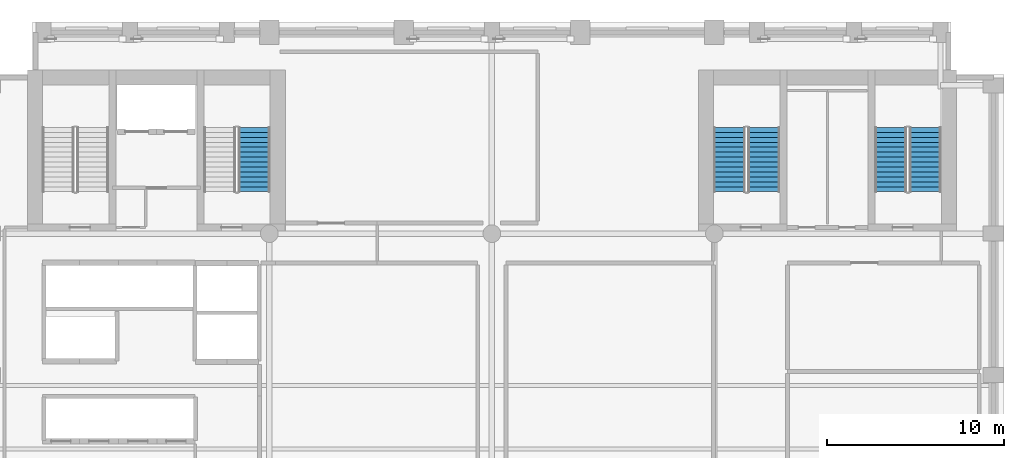
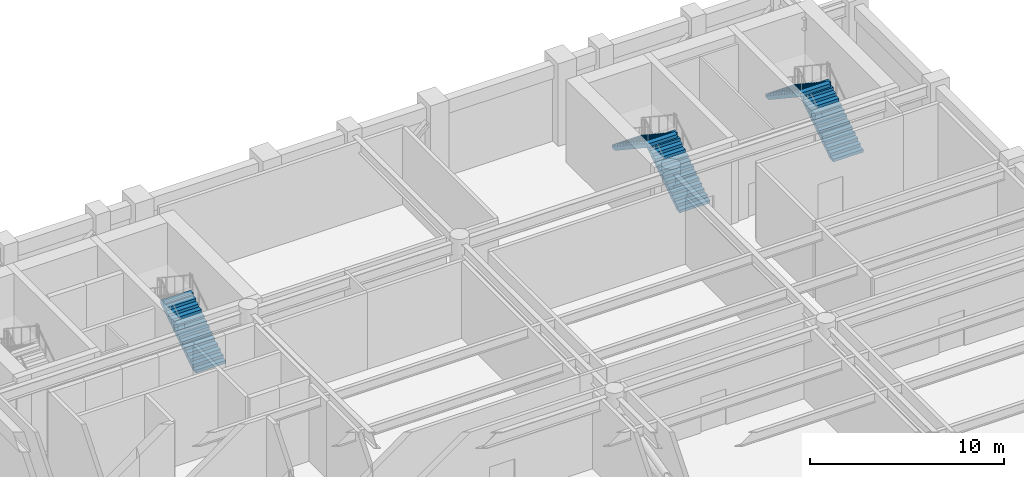
# One storey, part 8 of 11: 5 stair flights, 3 elements without a shape of their own.
"""IFC4 building model written with IfcOpenShell, lengths in metres."""

from ifc_helpers import new_model, si_unit, direction, frame, origin, place, context, subcontext, project, spatial, polyline, outline, extrude, material, type_object, element, aggregate, save


model = new_model("IFC4")

# Units and contexts
model_context = context("Model", 3, precision=1e-05, world=origin(), true_north=direction((0.0, 1.0)))
body_context = subcontext(model_context, "Body", "Model", "MODEL_VIEW")
ifc_project = project(units=[si_unit("LENGTHUNIT", "METRE"), si_unit("AREAUNIT", "SQUARE_METRE"), si_unit("VOLUMEUNIT", "CUBIC_METRE"), si_unit("PLANEANGLEUNIT", "RADIAN"), si_unit("MASSUNIT", "GRAM", prefix="KILO")], contexts=[model_context])

# Site, building, storey
site_placement = place(None, origin())
site = spatial("IfcSite", under=ifc_project, at=site_placement, CompositionType="ELEMENT")
building_placement = place(site_placement, origin())
building = spatial("IfcBuilding", under=site, at=building_placement, Name="Sulina Concourse Tower", CompositionType="ELEMENT")
storey_placement = place(building_placement, frame((0.0, 0.0, 82.60009765625)))
storey = spatial("IfcBuildingStorey", under=building, at=storey_placement, Name="L20", CompositionType="ELEMENT", Elevation=82.60009765625)

# Stair, stair flights
ifc_material_1 = material(Name="Concrete C50/60", Category="concrete")
stair_type_1 = type_object("IfcStairType", Name="Portal & Podium Core Exit Stair 1820mm", PredefinedType="HALF_TURN_STAIR", material=ifc_material_1)
stair_1_placement = place(storey_placement, origin())
stair_1 = element("IfcStair", 1, at=stair_1_placement, inside=storey, type_object=stair_type_1, Name="L20 ST-3", PredefinedType="HALF_TURN_STAIR")
ifc_material_2 = material(Name="Concrete C50/60", Category="concrete")
stair_flight_type_1 = type_object("IfcStairFlightType", Name="Portal & Podium Core Exit Stair 1820mm Flight", PredefinedType="STRAIGHT", material=ifc_material_2)
stair_flight_1_placement = place(storey_placement, frame((44.405029296875, 36.375, 0.0), z_axis=(0.0, 0.0, 1.0), x_axis=(0.0, 1.0, 0.0)))
stair_flight_1 = element("IfcStairFlight", 2, at=stair_flight_1_placement, type_object=stair_flight_type_1, Name="ST-3 flight 1", NumberOfRisers=14, NumberOfTreads=13, PredefinedType="STRAIGHT", RiserHeight=0.185714286, TreadLength=0.28, context=body_context, shape_type="SweptSolid", body=[
    extrude(outline(polyline([(0.0, 0.0), (0.0, 0.185791015625), (0.280029296875, 0.185791015625), (0.280029296875, 0.371337890625), (0.56005859375, 0.371337890625), (0.56005859375, 0.55712890625), (0.840087890625, 0.55712890625), (0.840087890625, 0.742919921875), (1.1201171875, 0.742919921875), (1.1201171875, 0.928466796875), (1.39990234375, 0.928466796875), (1.39990234375, 1.1142578125), (1.679931640625, 1.1142578125), (1.679931640625, 1.300048828125), (1.9599609375, 1.300048828125), (1.9599609375, 1.485595703125), (2.239990234375, 1.485595703125), (2.239990234375, 1.67138671875), (2.52001953125, 1.67138671875), (2.52001953125, 1.857177734375), (2.800048828125, 1.857177734375), (2.800048828125, 2.04296875), (3.080078125, 2.04296875), (3.080078125, 2.228515625), (3.360107421875, 2.228515625), (3.360107421875, 2.414306640625), (3.639892578125, 2.414306640625), (3.639892578125, 2.60009765625), (3.639892578125, 2.198486328125), (0.325439453125, 0.0), (0.0, 0.0)])), frame((0.0, 0.89990234375, 0.0), z_axis=(0.0, -1.0, 0.0), x_axis=(1.0, 0.0, 0.0)), (0.0, 0.0, 1.0), 1.800048828125),
])
stair_flight_2_placement = place(storey_placement, frame((42.455078125, 40.014892578125, 2.599853515625), z_axis=(0.0, 0.0, 1.0), x_axis=(0.0, -1.0, 0.0)))
stair_flight_2 = element("IfcStairFlight", 3, at=stair_flight_2_placement, type_object=stair_flight_type_1, Name="ST-3 flight 2", NumberOfRisers=14, NumberOfTreads=13, PredefinedType="STRAIGHT", RiserHeight=0.185714286, TreadLength=0.28, context=body_context, shape_type="SweptSolid", body=[
    extrude(outline(polyline([(0.0, 0.0), (0.0, 0.185791015625), (0.280029296875, 0.185791015625), (0.280029296875, 0.371337890625), (0.56005859375, 0.371337890625), (0.56005859375, 0.55712890625), (0.840087890625, 0.55712890625), (0.840087890625, 0.742919921875), (1.1201171875, 0.742919921875), (1.1201171875, 0.928466796875), (1.39990234375, 0.928466796875), (1.39990234375, 1.1142578125), (1.679931640625, 1.1142578125), (1.679931640625, 1.300048828125), (1.9599609375, 1.300048828125), (1.9599609375, 1.485595703125), (2.239990234375, 1.485595703125), (2.239990234375, 1.67138671875), (2.52001953125, 1.67138671875), (2.52001953125, 1.857177734375), (2.800048828125, 1.857177734375), (2.800048828125, 2.04296875), (3.080078125, 2.04296875), (3.080078125, 2.228515625), (3.360107421875, 2.228515625), (3.360107421875, 2.414306640625), (3.639892578125, 2.414306640625), (3.639892578125, 2.60009765625), (3.639892578125, 2.198486328125), (0.325439453125, 0.0), (0.0, 0.0)])), frame((0.0, 0.89990234375, 0.0), z_axis=(0.0, -1.0, 0.0), x_axis=(1.0, 0.0, 0.0)), (0.0, 0.0, 1.0), 1.800048828125),
])
aggregate(stair_1, [stair_flight_1, stair_flight_2])

stair_2_placement = place(storey_placement, origin())
stair_2 = element("IfcStair", 4, at=stair_2_placement, inside=storey, type_object=stair_type_1, Name="L20 ST-4", PredefinedType="HALF_TURN_STAIR")
stair_flight_3_placement = place(storey_placement, frame((53.544921875, 36.375, 0.0), z_axis=(0.0, 0.0, 1.0), x_axis=(0.0, 1.0, 0.0)))
stair_flight_3 = element("IfcStairFlight", 5, at=stair_flight_3_placement, type_object=stair_flight_type_1, Name="ST-4 flight 1", NumberOfRisers=14, NumberOfTreads=13, PredefinedType="STRAIGHT", RiserHeight=0.185714286, TreadLength=0.28, context=body_context, shape_type="SweptSolid", body=[
    extrude(outline(polyline([(0.0, 0.0), (0.0, 0.185791015625), (0.280029296875, 0.185791015625), (0.280029296875, 0.371337890625), (0.56005859375, 0.371337890625), (0.56005859375, 0.55712890625), (0.840087890625, 0.55712890625), (0.840087890625, 0.742919921875), (1.1201171875, 0.742919921875), (1.1201171875, 0.928466796875), (1.39990234375, 0.928466796875), (1.39990234375, 1.1142578125), (1.679931640625, 1.1142578125), (1.679931640625, 1.300048828125), (1.9599609375, 1.300048828125), (1.9599609375, 1.485595703125), (2.239990234375, 1.485595703125), (2.239990234375, 1.67138671875), (2.52001953125, 1.67138671875), (2.52001953125, 1.857177734375), (2.800048828125, 1.857177734375), (2.800048828125, 2.04296875), (3.080078125, 2.04296875), (3.080078125, 2.228515625), (3.360107421875, 2.228515625), (3.360107421875, 2.414306640625), (3.639892578125, 2.414306640625), (3.639892578125, 2.60009765625), (3.639892578125, 2.198486328125), (0.325439453125, 0.0), (0.0, 0.0)])), frame((0.0, 0.89990234375, 0.0), z_axis=(0.0, -1.0, 0.0), x_axis=(1.0, 0.0, 0.0)), (0.0, 0.0, 1.0), 1.800048828125),
])
stair_flight_4_placement = place(storey_placement, frame((51.594970703125, 40.014892578125, 2.599853515625), z_axis=(0.0, 0.0, 1.0), x_axis=(0.0, -1.0, 0.0)))
stair_flight_4 = element("IfcStairFlight", 6, at=stair_flight_4_placement, type_object=stair_flight_type_1, Name="ST-4 flight 2", NumberOfRisers=14, NumberOfTreads=13, PredefinedType="STRAIGHT", RiserHeight=0.185714286, TreadLength=0.28, context=body_context, shape_type="SweptSolid", body=[
    extrude(outline(polyline([(0.0, 0.0), (0.0, 0.185791015625), (0.280029296875, 0.185791015625), (0.280029296875, 0.371337890625), (0.56005859375, 0.371337890625), (0.56005859375, 0.55712890625), (0.840087890625, 0.55712890625), (0.840087890625, 0.742919921875), (1.1201171875, 0.742919921875), (1.1201171875, 0.928466796875), (1.39990234375, 0.928466796875), (1.39990234375, 1.1142578125), (1.679931640625, 1.1142578125), (1.679931640625, 1.300048828125), (1.9599609375, 1.300048828125), (1.9599609375, 1.485595703125), (2.239990234375, 1.485595703125), (2.239990234375, 1.67138671875), (2.52001953125, 1.67138671875), (2.52001953125, 1.857177734375), (2.800048828125, 1.857177734375), (2.800048828125, 2.04296875), (3.080078125, 2.04296875), (3.080078125, 2.228515625), (3.360107421875, 2.228515625), (3.360107421875, 2.414306640625), (3.639892578125, 2.414306640625), (3.639892578125, 2.60009765625), (3.639892578125, 2.198486328125), (0.325439453125, 0.0), (0.0, 0.0)])), frame((0.0, 0.89990234375, 0.0), z_axis=(0.0, -1.0, 0.0), x_axis=(1.0, 0.0, 0.0)), (0.0, 0.0, 1.0), 1.800048828125),
])
aggregate(stair_2, [stair_flight_3, stair_flight_4])

# Stair, stair flight
ifc_material_3 = material(Name="Concrete C50/60", Category="concrete")
stair_type_2 = type_object("IfcStairType", Name="Primary Core Dog-Leg Exit Stair 1800mm", PredefinedType="HALF_TURN_STAIR", material=ifc_material_3)
stair_3_placement = place(storey_placement, origin())
stair_3 = element("IfcStair", 7, at=stair_3_placement, inside=storey, type_object=stair_type_2, Name="L20 ST-2", PredefinedType="HALF_TURN_STAIR")
ifc_material_4 = material(Name="Concrete C50/60", Category="concrete")
stair_flight_type_2 = type_object("IfcStairFlightType", Name="Primary Core Dog-Leg Exit Stair 1800mm Flight", PredefinedType="STRAIGHT", material=ifc_material_4)
stair_flight_5_placement = place(storey_placement, frame((15.544921875, 36.375, 0.0), z_axis=(0.0, 0.0, 1.0), x_axis=(0.0, 1.0, 0.0)))
stair_flight_5 = element("IfcStairFlight", 8, at=stair_flight_5_placement, type_object=stair_flight_type_2, Name="ST-2 flight 1", NumberOfRisers=14, NumberOfTreads=13, PredefinedType="STRAIGHT", RiserHeight=0.185714286, TreadLength=0.28, context=body_context, shape_type="SweptSolid", body=[
    extrude(outline(polyline([(0.0, 0.0), (0.0, 0.185791015625), (0.280029296875, 0.185791015625), (0.280029296875, 0.371337890625), (0.56005859375, 0.371337890625), (0.56005859375, 0.55712890625), (0.840087890625, 0.55712890625), (0.840087890625, 0.742919921875), (1.1201171875, 0.742919921875), (1.1201171875, 0.928466796875), (1.39990234375, 0.928466796875), (1.39990234375, 1.1142578125), (1.679931640625, 1.1142578125), (1.679931640625, 1.300048828125), (1.9599609375, 1.300048828125), (1.9599609375, 1.485595703125), (2.239990234375, 1.485595703125), (2.239990234375, 1.67138671875), (2.52001953125, 1.67138671875), (2.52001953125, 1.857177734375), (2.800048828125, 1.857177734375), (2.800048828125, 2.04296875), (3.080078125, 2.04296875), (3.080078125, 2.228515625), (3.360107421875, 2.228515625), (3.360107421875, 2.414306640625), (3.639892578125, 2.414306640625), (3.639892578125, 2.60009765625), (3.639892578125, 2.198486328125), (0.325439453125, 0.0), (0.0, 0.0)])), frame((0.0, 0.89990234375, 0.0), z_axis=(0.0, -1.0, 0.0), x_axis=(1.0, 0.0, 0.0)), (0.0, 0.0, 1.0), 1.800048828125),
])
aggregate(stair_3, [stair_flight_5])

save(model, "model.ifc")
